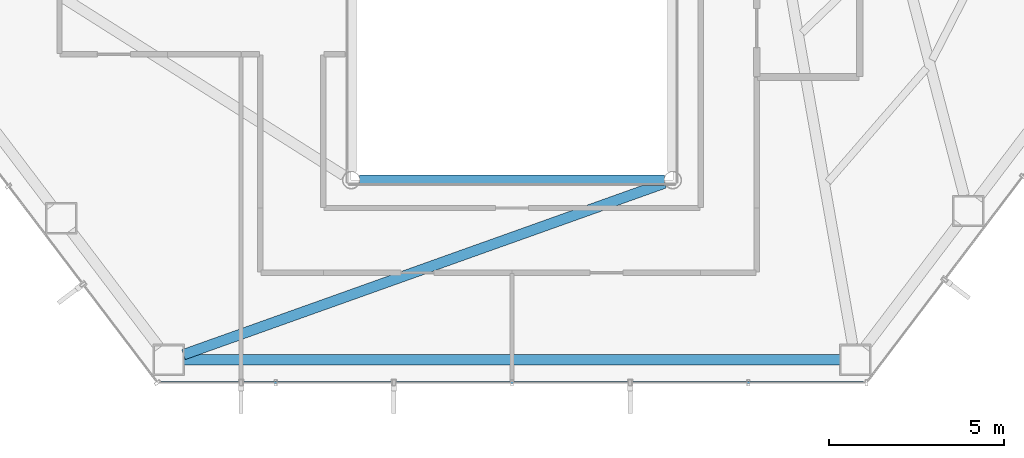
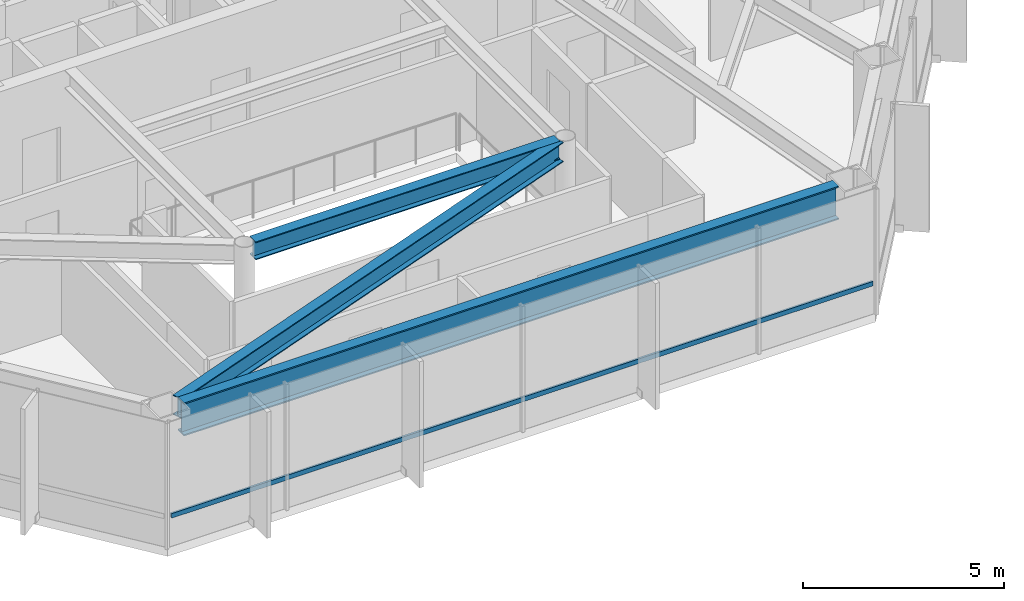
# One storey, part 7 of 24: 3 beams, 1 member, 1 element without a shape of its own.
"""IFC4 building model written with IfcOpenShell, lengths in metres."""

import ifcopenshell
import ifcopenshell.guid

model = None  # the IFC model being written
_history = None  # IfcOwnerHistory: only IFC2X3 demands one
_inside = {}  # id of a spatial element -> (the spatial element, [elements in it])
_under = {}  # id of a project, library or spatial element -> (it, [spatial elements below it])
_declared = {}  # id of a project -> (the project, [libraries it declares])
_typed = {}  # id of a type object -> (the type object, [elements of that type])
_made_of = {}  # id of a material, layer set ... -> (it, [elements and type objects made of it])


def new_model(schema):
    """Start an empty IFC model of exactly this schema.

    Asked for "IFC4X3", IfcOpenShell would pick the latest addendum, in which some entities
    have other attributes; the version numbers below select the first issue.
    IFC2X3 requires an IfcOwnerHistory on every rooted entity: one is made here for all.
    """
    global model, _history
    if schema == "IFC4X3":
        model = ifcopenshell.file(schema_version=(4, 3, 0, 0))
    else:
        model = ifcopenshell.file(schema=schema)
    _inside.clear()
    _under.clear()
    _declared.clear()
    _typed.clear()
    _made_of.clear()
    _history = None
    if model.schema == "IFC2X3":
        org = make("IfcOrganization", Name="unknown")
        user = make(
            "IfcPersonAndOrganization",
            ThePerson=make("IfcPerson", FamilyName="unknown"),
            TheOrganization=org,
        )
        app = make(
            "IfcApplication",
            ApplicationDeveloper=org,
            Version="unknown",
            ApplicationFullName="unknown",
            ApplicationIdentifier="unknown",
        )
        _history = make(
            "IfcOwnerHistory",
            OwningUser=user,
            OwningApplication=app,
            ChangeAction="ADDED",
            CreationDate=0,
        )
    return model


def make(cls, **values):
    """One entity of the class cls with the attributes given. An attribute that is None is left unset."""
    return model.create_entity(
        cls, **{name: value for name, value in values.items() if value is not None}
    )


def rooted(cls, **values):
    """An entity with a GlobalId (a new one), such as an element, a storey or a relation."""
    return make(cls, GlobalId=ifcopenshell.guid.new(), OwnerHistory=_history, **values)


def si_unit(unit_type, name, prefix=None):
    """IfcSIUnit, for example si_unit("LENGTHUNIT", "METRE", prefix="MILLI")."""
    return make("IfcSIUnit", UnitType=unit_type, Prefix=prefix, Name=name)


def assignment(units):
    """IfcUnitAssignment: the units of a project."""
    return None if units is None else make("IfcUnitAssignment", Units=units)


def point(xyz):
    """IfcCartesianPoint."""
    return None if xyz is None else make("IfcCartesianPoint", Coordinates=xyz)


def direction(xyz):
    """IfcDirection."""
    return None if xyz is None else make("IfcDirection", DirectionRatios=xyz)


def frame(location, z_axis=None, x_axis=None):
    """IfcAxis2Placement3D, a coordinate frame: its origin and axes. An axis left out is left unset."""
    return make(
        "IfcAxis2Placement3D",
        Location=point(location),
        Axis=direction(z_axis),
        RefDirection=direction(x_axis),
    )


def frame_2d(location, x_axis=None):
    """IfcAxis2Placement2D, a coordinate frame in the plane: its origin and x axis."""
    return make(
        "IfcAxis2Placement2D", Location=point(location), RefDirection=direction(x_axis)
    )


def origin():
    """The frame at (0, 0, 0) with its axes left unset."""
    return frame((0.0, 0.0, 0.0))


def origin_2d():
    """The frame at (0, 0) in the plane with its x axis left unset."""
    return frame_2d((0.0, 0.0))


def place(relative_to, where):
    """IfcLocalPlacement: puts the frame where relative to a parent placement (None: the world)."""
    return make(
        "IfcLocalPlacement", PlacementRelTo=relative_to, RelativePlacement=where
    )


def context(
    kind, dimensions, precision=None, world=None, true_north=None, identifier=None
):
    """IfcGeometricRepresentationContext, for example the 3D "Model" context."""
    return make(
        "IfcGeometricRepresentationContext",
        ContextIdentifier=identifier,
        ContextType=kind,
        CoordinateSpaceDimension=dimensions,
        Precision=precision,
        WorldCoordinateSystem=world,
        TrueNorth=true_north,
    )


def subcontext(parent, identifier, kind, view, scale=None):
    """IfcGeometricRepresentationSubContext, for example "Body" below "Model"."""
    return make(
        "IfcGeometricRepresentationSubContext",
        ContextIdentifier=identifier,
        ContextType=kind,
        ParentContext=parent,
        TargetScale=scale,
        TargetView=view,
    )


def project(units=None, contexts=None):
    """IfcProject with its units and contexts."""
    return rooted(
        "IfcProject",
        Name="project",
        RepresentationContexts=contexts,
        UnitsInContext=assignment(units),
    )


def spatial(cls, under=None, at=None, **own):
    """A site, building, storey or space (cls), placed at a placement, below another one or the project."""
    s = rooted(cls, ObjectPlacement=at, **own)
    if under is not None:
        _under.setdefault(under.id(), (under, []))[1].append(s)
    return s


def profile(cls, at=None, kind="AREA", **sizes):
    """A parametric profile (cls). Its sizes go by their IFC names, for example OverallWidth=200.0."""
    return make(cls, ProfileType=kind, Position=at, **sizes)


def hollow_rectangle(**sizes):
    """IfcRectangleHollowProfileDef."""
    return profile("IfcRectangleHollowProfileDef", **sizes)


def i_section(**sizes):
    """IfcIShapeProfileDef."""
    return profile("IfcIShapeProfileDef", **sizes)


def extrude(swept, where, along, depth):
    """IfcExtrudedAreaSolid: the profile swept, set in the frame where, extruded along a direction by depth."""
    return make(
        "IfcExtrudedAreaSolid",
        SweptArea=swept,
        Position=where,
        ExtrudedDirection=direction(along),
        Depth=depth,
    )


def shape(context_of_items, identifier, shape_type, items):
    """IfcShapeRepresentation: the items that make up one representation, for example the "Body"."""
    return make(
        "IfcShapeRepresentation",
        ContextOfItems=context_of_items,
        RepresentationIdentifier=identifier,
        RepresentationType=shape_type,
        Items=items,
    )


def material(Name=None, Category=None):
    """IfcMaterial."""
    return make("IfcMaterial", Name=Name, Category=Category)


def layer(
    of_material, thickness, ventilated=None, Name=None, Category=None, Priority=None
):
    """IfcMaterialLayer: one layer of a wall or slab, of a material (None: an air gap)."""
    return make(
        "IfcMaterialLayer",
        Material=of_material,
        LayerThickness=thickness,
        IsVentilated=ventilated,
        Name=Name,
        Category=Category,
        Priority=Priority,
    )


def layer_set(layers, Name=None):
    """IfcMaterialLayerSet."""
    return make("IfcMaterialLayerSet", MaterialLayers=layers, LayerSetName=Name)


def material_profile(
    of_material, cross_section, Name=None, Category=None, Priority=None
):
    """IfcMaterialProfile: a cross section and its material."""
    return make(
        "IfcMaterialProfile",
        Name=Name,
        Material=of_material,
        Profile=cross_section,
        Priority=Priority,
        Category=Category,
    )


def profile_set(profiles, Name=None, composite=None):
    """IfcMaterialProfileSet."""
    return make(
        "IfcMaterialProfileSet",
        Name=Name,
        MaterialProfiles=profiles,
        CompositeProfile=composite,
    )


def made_of(thing, what):
    """Note that an element or type object is made of a material, layer set ...; save() writes the relation."""
    if what is not None:
        _made_of.setdefault(what.id(), (what, []))[1].append(thing)
    return thing


def type_object(cls, material=None, **own):
    """A type object (cls), such as IfcWallType, which elements share."""
    return made_of(rooted(cls, **own), material)


def element(
    cls,
    number,
    at=None,
    inside=None,
    cuts=None,
    type_object=None,
    material=None,
    context=None,
    identifier="Body",
    shape_type=None,
    held_by="IfcProductDefinitionShape",
    body=None,
    shapes=None,
    **own,
):
    """One element of the class cls, such as IfcWall. Its Tag is "e" and its number.

    at: its placement. inside: the storey or other place that contains it. cuts: it is an
    opening in that element (IfcRelVoidsElement). A single representation is given by context,
    identifier, shape_type and body (its items); several are given by shapes. held_by: the class
    of the entity that holds the representations. save() writes the other relations.
    """
    e = rooted(cls, Tag="e%d" % number, ObjectPlacement=at, **own)
    if body is not None:
        shapes = [shape(context, identifier, shape_type, body)]
    if shapes is not None:
        e.Representation = make(held_by, Representations=shapes)
    if inside is not None:
        _inside.setdefault(inside.id(), (inside, []))[1].append(e)
    if cuts is not None:
        rooted(
            "IfcRelVoidsElement", RelatingBuildingElement=cuts, RelatedOpeningElement=e
        )
    if type_object is not None:
        _typed.setdefault(type_object.id(), (type_object, []))[1].append(e)
    return made_of(e, material)


def aggregate(whole, parts):
    """IfcRelAggregates: a whole, such as a stair, and the parts it consists of."""
    return rooted("IfcRelAggregates", RelatingObject=whole, RelatedObjects=parts)


def save(model, path):
    """Write the relations noted so far, then the file.

    IfcRelAggregates (storeys below a building ...), IfcRelContainedInSpatialStructure (elements
    in a storey), IfcRelDefinesByType, IfcRelAssociatesMaterial and IfcRelDeclares: one each for
    every whole, place, type object, material and project.
    """
    for whole, parts in _under.values():
        aggregate(whole, parts)
    for where, things in _inside.values():
        rooted(
            "IfcRelContainedInSpatialStructure",
            RelatedElements=things,
            RelatingStructure=where,
        )
    for kind, things in _typed.values():
        rooted("IfcRelDefinesByType", RelatedObjects=things, RelatingType=kind)
    for what, things in _made_of.values():
        rooted("IfcRelAssociatesMaterial", RelatedObjects=things, RelatingMaterial=what)
    for by, libraries in _declared.values():
        rooted("IfcRelDeclares", RelatingContext=by, RelatedDefinitions=libraries)
    model.write(path)


model = new_model("IFC4")

# Units and contexts
model_context = context("Model", 3, precision=1e-05, world=origin(), true_north=direction((0.0, 1.0)))
body_context = subcontext(model_context, "Body", "Model", "MODEL_VIEW")
ifc_project = project(units=[si_unit("LENGTHUNIT", "METRE"), si_unit("AREAUNIT", "SQUARE_METRE"), si_unit("VOLUMEUNIT", "CUBIC_METRE"), si_unit("PLANEANGLEUNIT", "RADIAN"), si_unit("MASSUNIT", "GRAM", prefix="KILO")], contexts=[model_context])

# Site, building, storey
site_placement = place(None, origin())
site = spatial("IfcSite", under=ifc_project, at=site_placement, CompositionType="ELEMENT")
building_placement = place(site_placement, origin())
building = spatial("IfcBuilding", under=site, at=building_placement, Name="Zarrinselat Tower", CompositionType="ELEMENT")
storey_placement = place(building_placement, frame((0.0, 0.0, 72.419921875)))
storey = spatial("IfcBuildingStorey", under=building, at=storey_placement, Name="L17", CompositionType="ELEMENT", Elevation=72.419921875)

# Beams
ifc_material_1 = material(Name="Steel S355J2", Category="steel")
ifc_material_profile_1 = material_profile(ifc_material_1, i_section(OverallWidth=0.300048828125, OverallDepth=0.550048828125, WebThickness=0.014892578125, FlangeThickness=0.029052734375, at=origin_2d()), Name="HEB 550")
ifc_profile_set_1 = profile_set([ifc_material_profile_1], Name="Steel S355J2")
beam_type_1 = type_object("IfcBeamType", Name="BM-HEB550", PredefinedType="BEAM", material=ifc_profile_set_1)
beam_1_placement = place(storey_placement, frame((34.0400390625, 24.39990234375, 3.545166015625), z_axis=(1.0, 0.0, 0.0), x_axis=(0.0, 1.0, 0.0)))
element("IfcBeam", 1, at=beam_1_placement, inside=storey, type_object=beam_type_1, Name="L17 Atrium Edge Beam S", PredefinedType="BEAM", context=body_context, shape_type="SweptSolid", body=[
    extrude(i_section(OverallWidth=0.300048828125, OverallDepth=0.550048828125, WebThickness=0.014892578125, FlangeThickness=0.029052734375, at=origin_2d()), origin(), (0.0, 0.0, 1.0), 8.719970703125),
])
ifc_material_2 = material(Name="Steel S355J2", Category="steel")
ifc_material_profile_2 = material_profile(ifc_material_2, i_section(OverallWidth=0.300048828125, OverallDepth=0.60009765625, WebThickness=0.015380859375, FlangeThickness=0.030029296875, at=origin_2d()), Name="HEB 600")
ifc_profile_set_2 = profile_set([ifc_material_profile_2], Name="Steel S355J2")
beam_type_2 = type_object("IfcBeamType", Name="BM-HEB600", PredefinedType="BEAM", material=ifc_profile_set_2)
beam_2_placement = place(storey_placement, frame((29.00341796875, 19.40673828125, 3.52001953125), z_axis=(0.941860184436, 0.336005049031, 0.0), x_axis=(-0.336005049031, 0.941860184436, 0.0)))
element("IfcBeam", 2, at=beam_2_placement, inside=storey, type_object=beam_type_2, Name="L17 Radial Primary Girder RG10", PredefinedType="BEAM", context=body_context, shape_type="SweptSolid", body=[
    extrude(i_section(OverallWidth=0.300048828125, OverallDepth=0.60009765625, WebThickness=0.015380859375, FlangeThickness=0.030029296875, at=origin_2d()), origin(), (0.0, 0.0, 1.0), 14.6103515625),
])
ifc_material_3 = material(Name="Steel S460M", Category="steel")
ifc_material_profile_3 = material_profile(ifc_material_3, i_section(OverallWidth=0.302001953125, OverallDepth=1.008056640625, WebThickness=0.02099609375, FlangeThickness=0.0400390625, at=origin_2d()), Name="HEM 1000")
ifc_profile_set_3 = profile_set([ifc_material_profile_3], Name="Steel S460M")
beam_type_3 = type_object("IfcBeamType", Name="BM-HEM1000", PredefinedType="BEAM", material=ifc_profile_set_3)
beam_3_placement = place(storey_placement, frame((29.015869140625, 19.2548828125, 3.316162109375), z_axis=(1.0, 0.0, 0.0), x_axis=(0.0, 1.0, 0.0)))
element("IfcBeam", 3, at=beam_3_placement, inside=storey, type_object=beam_type_3, Name="L17 Perimeter Spandrel Girder SP10", PredefinedType="BEAM", context=body_context, shape_type="SweptSolid", body=[
    extrude(i_section(OverallWidth=0.302001953125, OverallDepth=1.008056640625, WebThickness=0.02099609375, FlangeThickness=0.0400390625, at=origin_2d()), origin(), (0.0, 0.0, 1.0), 18.768310546875),
])

# Curtain wall, member
ifc_material_4 = material(Name="Extruded Aluminium Alloy EN AW-6063 T6", Category="aluminium")
ifc_layer = layer(ifc_material_4, 0.18505859375)
ifc_layer_set = layer_set([ifc_layer], Name="Extruded Aluminium Alloy EN AW-6063 T6")
curtain_wall_type = type_object("IfcCurtainWallType", Name="CWS-OFF", PredefinedType="NOTDEFINED", material=ifc_layer_set)
curtain_wall_placement = place(storey_placement, origin())
curtain_wall = element("IfcCurtainWall", 4, at=curtain_wall_placement, inside=storey, type_object=curtain_wall_type, Name="L17 Unitised Curtain Wall CW-L17-E04", PredefinedType="NOTDEFINED")
ifc_material_5 = material(Name="Extruded Aluminium Alloy EN AW-6063 T6", Category="aluminium")
ifc_material_profile_4 = material_profile(ifc_material_5, hollow_rectangle(XDim=0.06005859375, YDim=0.139892578125, WallThickness=0.00390625, at=origin_2d()), Name="RHS 140x60x4")
ifc_profile_set_4 = profile_set([ifc_material_profile_4], Name="Extruded Aluminium Alloy EN AW-6063 T6")
member_type = type_object("IfcMemberType", Name="MEM-CW-TRN", PredefinedType="USERDEFINED", material=ifc_profile_set_4)
member_placement = place(storey_placement, frame((28.3447265625, 18.60498046875, 0.9501953125), z_axis=(1.0, 0.0, 0.0), x_axis=(0.0, 1.0, 0.0)))
member = element("IfcMember", 5, at=member_placement, type_object=member_type, Name="CW-L17-E04 Transom 1", ObjectType="TRANSOM", PredefinedType="USERDEFINED", context=body_context, shape_type="SweptSolid", body=[
    extrude(hollow_rectangle(XDim=0.06005859375, YDim=0.139892578125, WallThickness=0.00390625, at=origin_2d()), origin(), (0.0, 0.0, 1.0), 20.1103515625),
])
aggregate(curtain_wall, [member])

save(model, "model.ifc")
